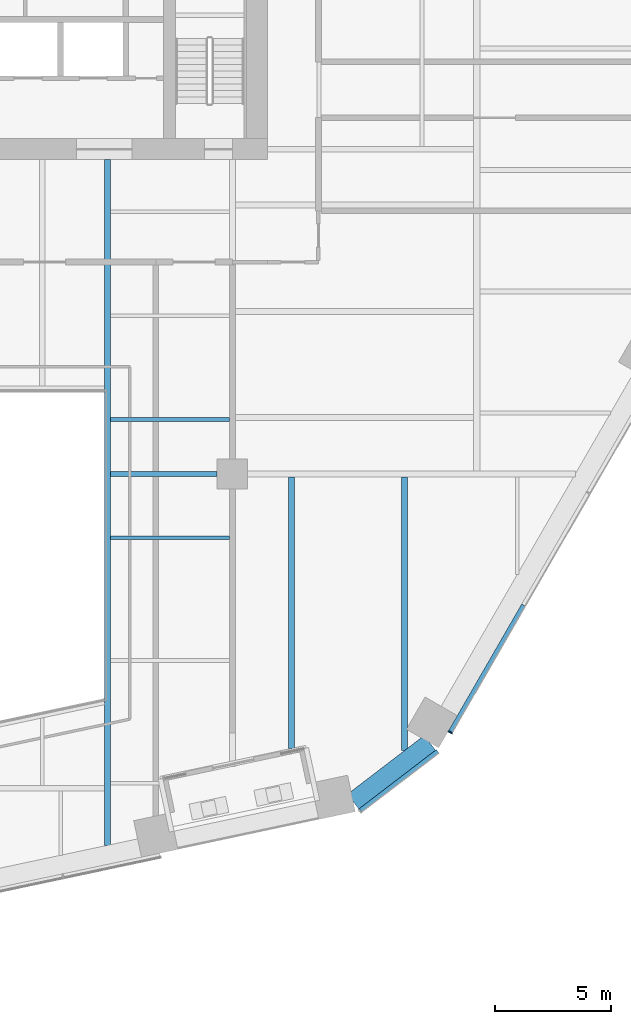
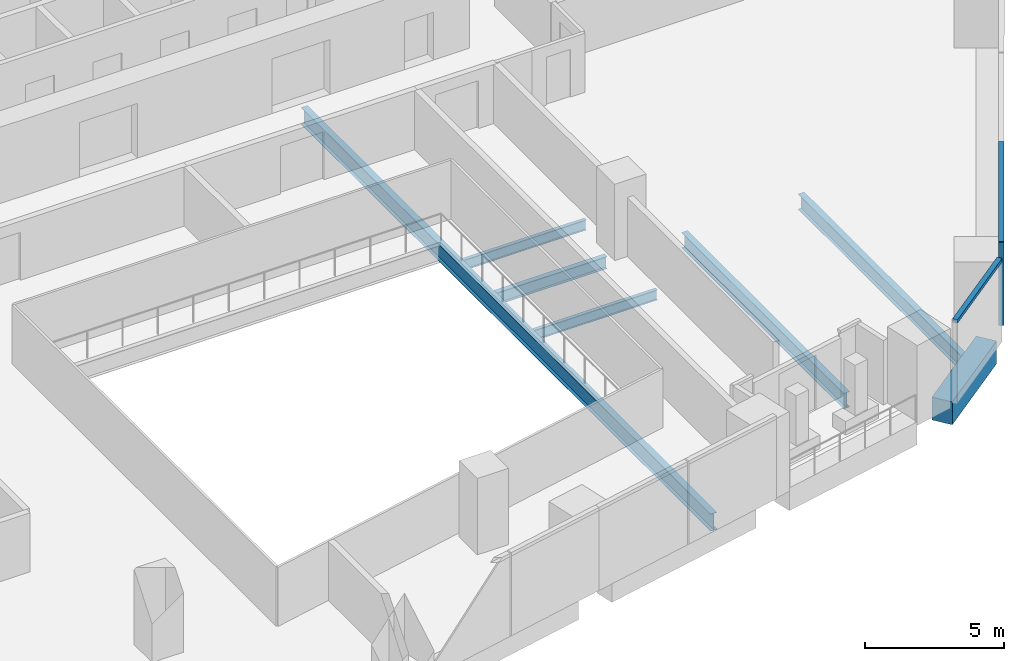
# One storey, part 7 of 31: 7 beams, 3 members, 2 elements without a shape of their own.
"""IFC4 building model written with IfcOpenShell, lengths in metres."""

from ifc_helpers import new_model, si_unit, direction, frame, origin, origin_2d, place, context, subcontext, project, spatial, rectangle, i_section, extrude, material, layer, layer_set, material_profile, profile_set, type_object, element, aggregate, save


model = new_model("IFC4")

# Units and contexts
model_context = context("Model", 3, precision=1e-05, world=origin(), true_north=direction((0.0, 1.0)))
body_context = subcontext(model_context, "Body", "Model", "MODEL_VIEW")
ifc_project = project(units=[si_unit("LENGTHUNIT", "METRE"), si_unit("AREAUNIT", "SQUARE_METRE"), si_unit("VOLUMEUNIT", "CUBIC_METRE"), si_unit("PLANEANGLEUNIT", "RADIAN"), si_unit("MASSUNIT", "GRAM", prefix="KILO")], contexts=[model_context])

# Site, building, storey
site_placement = place(None, origin())
site = spatial("IfcSite", under=ifc_project, at=site_placement, CompositionType="ELEMENT")
building_placement = place(site_placement, origin())
building = spatial("IfcBuilding", under=site, at=building_placement, Name="Isthmus Gate Tower", CompositionType="ELEMENT")
storey_placement = place(building_placement, frame((0.0, 0.0, 113.5)))
storey = spatial("IfcBuildingStorey", under=building, at=storey_placement, Name="L27", CompositionType="ELEMENT", Elevation=113.5)

# Curtain wall, member
ifc_material_1 = material(Name="Aluminium, pale champagne anodised", Category="aluminium")
ifc_layer = layer(ifc_material_1, 0.199951171875)
ifc_layer_set = layer_set([ifc_layer], Name="CW-1 UNITISED CURTAIN WALL 200 DEEP")
curtain_wall_type = type_object("IfcCurtainWallType", Name="CW-1 UNITISED CURTAIN WALL 200 DEEP", PredefinedType="NOTDEFINED", material=ifc_layer_set)
curtain_wall_1_placement = place(storey_placement, origin())
curtain_wall_1 = element("IfcCurtainWall", 1, at=curtain_wall_1_placement, inside=storey, type_object=curtain_wall_type, Name="CW-1 SE L27", PredefinedType="NOTDEFINED")
ifc_material_2 = material(Name="Aluminium, pale champagne anodised", Category="aluminium")
ifc_material_profile_1 = material_profile(ifc_material_2, rectangle(XDim=0.06005859375, YDim=0.199951171875, at=origin_2d()), Name="60x200")
ifc_profile_set_1 = profile_set([ifc_material_profile_1], Name="Aluminium, pale champagne anodised")
member_type_1 = type_object("IfcMemberType", Name="CW-1 MULLION 60 X 200", PredefinedType="MULLION", material=ifc_profile_set_1)
member_1_placement = place(storey_placement, frame((22.863525390625, -24.599365234375, 0.0), z_axis=(0.0, 0.0, 1.0), x_axis=(0.5, 0.866025403784, 0.0)))
member_1 = element("IfcMember", 2, at=member_1_placement, type_object=member_type_1, Name="CW-1 mullion", PredefinedType="MULLION", context=body_context, shape_type="SweptSolid", body=[
    extrude(rectangle(XDim=0.06005859375, YDim=0.199951171875, at=origin_2d()), origin(), (0.0, 0.0, 1.0), 3.64990234375),
])

curtain_wall_2_placement = place(storey_placement, origin())
curtain_wall_2 = element("IfcCurtainWall", 3, at=curtain_wall_2_placement, inside=storey, type_object=curtain_wall_type, Name="CW-1 S-SE L27", PredefinedType="NOTDEFINED")
ifc_material_3 = material(Name="Aluminium, pale champagne anodised", Category="aluminium")
ifc_material_profile_2 = material_profile(ifc_material_3, rectangle(XDim=0.199951171875, YDim=0.14990234375, at=origin_2d()), Name="200x150")
ifc_profile_set_2 = profile_set([ifc_material_profile_2], Name="Aluminium, pale champagne anodised")
member_type_2 = type_object("IfcMemberType", Name="CW-1 TRANSOM 200 X 150", PredefinedType="USERDEFINED", material=ifc_profile_set_2)
member_2_placement = place(storey_placement, frame((19.002685546875, -27.96435546875, 3.574951171875), z_axis=(0.794175498212, 0.607688471209, 0.0), x_axis=(-0.607688471209, 0.794175498212, 0.0)))
member_2 = element("IfcMember", 4, at=member_2_placement, type_object=member_type_2, Name="CW-1 transom", ObjectType="TRANSOM", PredefinedType="USERDEFINED", context=body_context, shape_type="SweptSolid", body=[
    extrude(rectangle(XDim=0.199951171875, YDim=0.14990234375, at=origin_2d()), origin(), (0.0, 0.0, 1.0), 4.181396484375),
])
aggregate(curtain_wall_2, [member_2])

# Member
member_3_placement = place(storey_placement, frame((22.87841796875, -24.5732421875, 3.574951171875), z_axis=(0.50002426866, 0.866011391814, 0.0), x_axis=(-0.866011391814, 0.50002426866, 0.0)))
member_3 = element("IfcMember", 5, at=member_3_placement, type_object=member_type_2, Name="CW-1 transom", ObjectType="TRANSOM", PredefinedType="USERDEFINED", context=body_context, shape_type="SweptSolid", body=[
    extrude(rectangle(XDim=0.199951171875, YDim=0.14990234375, at=origin_2d()), origin(), (0.0, 0.0, 1.0), 6.278564453125),
])

aggregate(curtain_wall_1, [member_1, member_3])

# Beams
ifc_material_4 = material(Name="Concrete f'c 70 MPa", Category="concrete")
ifc_material_profile_3 = material_profile(ifc_material_4, rectangle(XDim=0.800048828125, YDim=1.0, at=origin_2d()), Name="RC 800X1000")
ifc_profile_set_3 = profile_set([ifc_material_profile_3], Name="Concrete f'c 70 MPa")
beam_type_1 = type_object("IfcBeamType", Name="RC SPANDREL 800 X 1000", PredefinedType="SPANDREL", material=ifc_profile_set_3)
beam_1_placement = place(storey_placement, frame((21.98681640625, -25.051513671875, -0.5), z_axis=(-0.794205941875, -0.607648682949, 0.0), x_axis=(0.607648682949, -0.794205941875, 0.0)))
element("IfcBeam", 6, at=beam_1_placement, inside=storey, type_object=beam_type_1, Name="str-spandrel-L27-09", PredefinedType="SPANDREL", context=body_context, shape_type="SweptSolid", body=[
    extrude(rectangle(XDim=0.800048828125, YDim=1.0, at=origin_2d()), origin(), (0.0, 0.0, 1.0), 4.15234375),
])
ifc_material_5 = material(Name="Structural steel ASTM A992 Gr 50", Category="steel")
ifc_material_profile_4 = material_profile(ifc_material_5, i_section(OverallWidth=0.15234375, OverallDepth=0.45068359375, WebThickness=0.0078125, FlangeThickness=0.010986328125, at=origin_2d()), Name="W18X35")
ifc_profile_set_4 = profile_set([ifc_material_profile_4], Name="Structural steel ASTM A992 Gr 50")
beam_type_2 = type_object("IfcBeamType", Name="STEEL FLOOR BEAM W18X35", PredefinedType="JOIST", material=ifc_profile_set_4)
beam_2_placement = place(storey_placement, frame((8.263427734375, -16.241455078125, -0.37548828125), z_axis=(1.0, 0.0, 0.0), x_axis=(0.0, 1.0, 0.0)))
element("IfcBeam", 7, at=beam_2_placement, inside=storey, type_object=beam_type_2, Name="str-beam-L27-26-02", PredefinedType="JOIST", context=body_context, shape_type="SweptSolid", body=[
    extrude(i_section(OverallWidth=0.15234375, OverallDepth=0.45068359375, WebThickness=0.0078125, FlangeThickness=0.010986328125, at=origin_2d()), origin(), (0.0, 0.0, 1.0), 5.109619140625),
])
beam_3_placement = place(storey_placement, frame((8.263427734375, -11.16259765625, -0.37548828125), z_axis=(1.0, 0.0, 0.0), x_axis=(0.0, 1.0, 0.0)))
element("IfcBeam", 8, at=beam_3_placement, inside=storey, type_object=beam_type_2, Name="str-beam-L27-27-00", PredefinedType="JOIST", context=body_context, shape_type="SweptSolid", body=[
    extrude(i_section(OverallWidth=0.15234375, OverallDepth=0.45068359375, WebThickness=0.0078125, FlangeThickness=0.010986328125, at=origin_2d()), origin(), (0.0, 0.0, 1.0), 5.104736328125),
])
ifc_material_6 = material(Name="Structural steel ASTM A992 Gr 50", Category="steel")
ifc_material_profile_5 = material_profile(ifc_material_6, i_section(OverallWidth=0.25390625, OverallDepth=0.679443359375, WebThickness=0.010986328125, FlangeThickness=0.015869140625, at=origin_2d()), Name="W27X84")
ifc_profile_set_5 = profile_set([ifc_material_profile_5], Name="Structural steel ASTM A992 Gr 50")
beam_type_3 = type_object("IfcBeamType", Name="STEEL FLOOR BEAM W27X84", PredefinedType="JOIST", material=ifc_profile_set_5)
beam_4_placement = place(storey_placement, frame((16.04833984375, -25.2880859375, -0.48974609375), z_axis=(0.0, 1.0, 0.0), x_axis=(-1.0, 0.0, 0.0)))
element("IfcBeam", 9, at=beam_4_placement, inside=storey, type_object=beam_type_3, Name="str-beam-L27-33-00", PredefinedType="JOIST", context=body_context, shape_type="SweptSolid", body=[
    extrude(i_section(OverallWidth=0.25390625, OverallDepth=0.679443359375, WebThickness=0.010986328125, FlangeThickness=0.015869140625, at=origin_2d()), origin(), (0.0, 0.0, 1.0), 11.65478515625),
])
beam_5_placement = place(storey_placement, frame((20.89111328125, -25.385986328125, -0.48974609375), z_axis=(0.0, 1.0, 0.0), x_axis=(-1.0, 0.0, 0.0)))
element("IfcBeam", 10, at=beam_5_placement, inside=storey, type_object=beam_type_3, Name="str-beam-L27-33-01", PredefinedType="JOIST", context=body_context, shape_type="SweptSolid", body=[
    extrude(i_section(OverallWidth=0.25390625, OverallDepth=0.679443359375, WebThickness=0.010986328125, FlangeThickness=0.015869140625, at=origin_2d()), origin(), (0.0, 0.0, 1.0), 11.752685546875),
])
ifc_material_7 = material(Name="Structural steel ASTM A992 Gr 50", Category="steel")
ifc_material_profile_6 = material_profile(ifc_material_7, i_section(OverallWidth=0.20947265625, OverallDepth=0.533447265625, WebThickness=0.009521484375, FlangeThickness=0.015869140625, at=origin_2d()), Name="W21X62")
ifc_profile_set_6 = profile_set([ifc_material_profile_6], Name="Structural steel ASTM A992 Gr 50")
beam_type_4 = type_object("IfcBeamType", Name="STEEL GIRDER W21X62", PredefinedType="BEAM", material=ifc_profile_set_6)
beam_6_placement = place(storey_placement, frame((8.263427734375, -13.5, -0.416748046875), z_axis=(1.0, 0.0, 0.0), x_axis=(0.0, 1.0, 0.0)))
element("IfcBeam", 11, at=beam_6_placement, inside=storey, type_object=beam_type_4, Name="str-girder-L27-07", PredefinedType="BEAM", context=body_context, shape_type="SweptSolid", body=[
    extrude(i_section(OverallWidth=0.20947265625, OverallDepth=0.533447265625, WebThickness=0.009521484375, FlangeThickness=0.015869140625, at=origin_2d()), origin(), (0.0, 0.0, 1.0), 4.586669921875),
])
ifc_material_8 = material(Name="Structural steel ASTM A992 Gr 50", Category="steel")
ifc_material_profile_7 = material_profile(ifc_material_8, i_section(OverallWidth=0.263427734375, OverallDepth=0.749267578125, WebThickness=0.0126953125, FlangeThickness=0.015869140625, at=origin_2d()), Name="W30X90")
ifc_profile_set_7 = profile_set([ifc_material_profile_7], Name="Structural steel ASTM A992 Gr 50")
beam_type_5 = type_object("IfcBeamType", Name="STEEL TRIMMER W30X90", PredefinedType="BEAM", material=ifc_profile_set_7)
beam_7_placement = place(storey_placement, frame((8.1318359375, -29.45361328125, -0.524658203125), z_axis=(0.0, 1.0, 0.0), x_axis=(-1.0, 0.0, 0.0)))
element("IfcBeam", 12, at=beam_7_placement, inside=storey, type_object=beam_type_5, Name="str-trimmer-L27-01", PredefinedType="BEAM", context=body_context, shape_type="SweptSolid", body=[
    extrude(i_section(OverallWidth=0.263427734375, OverallDepth=0.749267578125, WebThickness=0.0126953125, FlangeThickness=0.015869140625, at=origin_2d()), origin(), (0.0, 0.0, 1.0), 29.45361328125),
])

save(model, "model.ifc")
